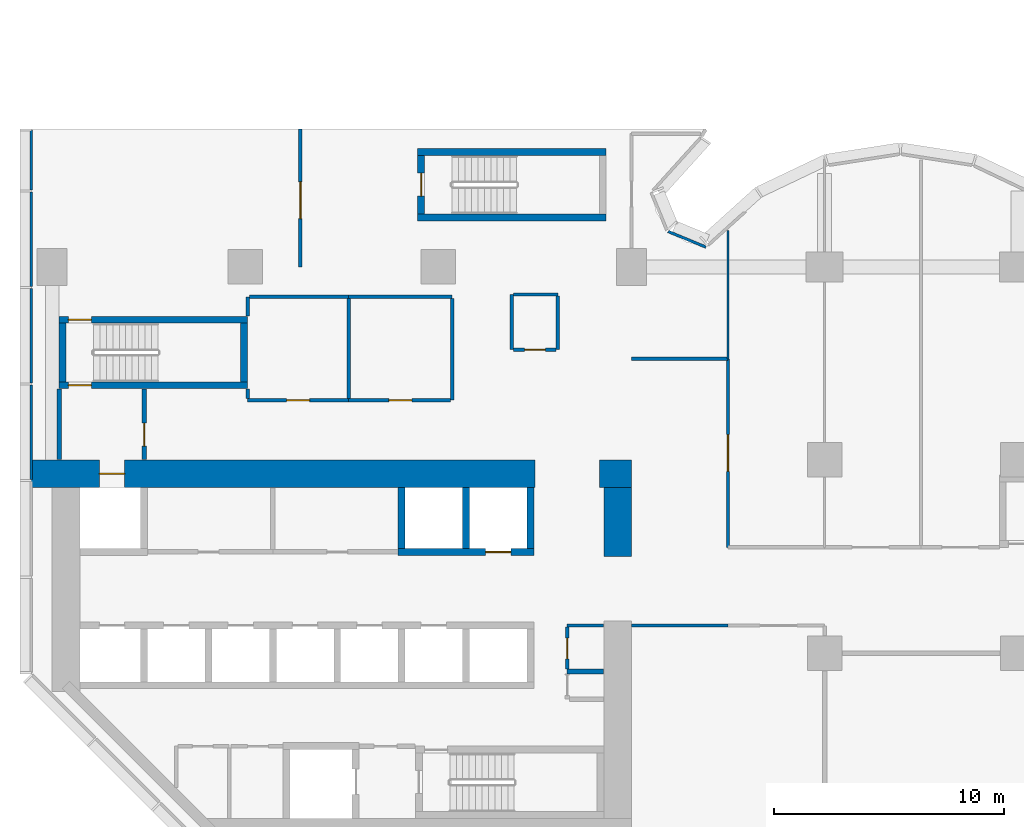
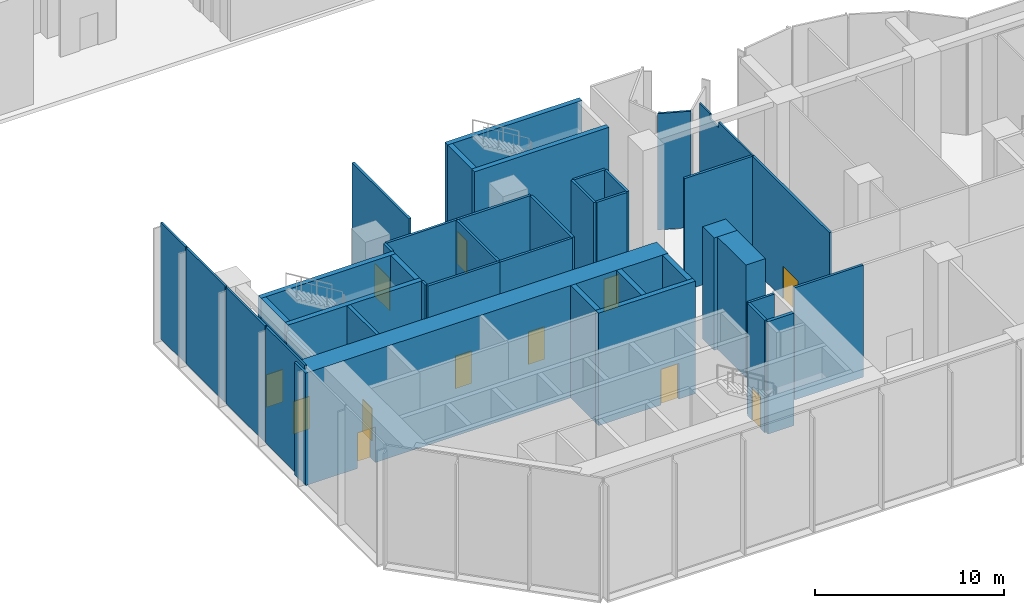
# One storey, part 8 of 16: 41 walls, 12 doors, 12 openings.
"""IFC4 building model written with IfcOpenShell, lengths in metres."""

from ifc_helpers import new_model, si_unit, direction, frame, frame_2d, origin, place, context, subcontext, project, spatial, polyline, rectangle, outline, extrude, material, layer, layer_set, type_object, element, fill, save


model = new_model("IFC4")

# Units and contexts
model_context = context("Model", 3, precision=1e-05, world=origin(), true_north=direction((0.0, 1.0)))
body_context = subcontext(model_context, "Body", "Model", "MODEL_VIEW")
ifc_project = project(units=[si_unit("LENGTHUNIT", "METRE"), si_unit("AREAUNIT", "SQUARE_METRE"), si_unit("VOLUMEUNIT", "CUBIC_METRE"), si_unit("PLANEANGLEUNIT", "RADIAN"), si_unit("MASSUNIT", "GRAM", prefix="KILO")], contexts=[model_context])

# Site, building, storey
site_placement = place(None, origin())
site = spatial("IfcSite", under=ifc_project, at=site_placement, CompositionType="ELEMENT")
building_placement = place(site_placement, origin())
building = spatial("IfcBuilding", under=site, at=building_placement, Name="Brevane Broadcast Tower", CompositionType="ELEMENT")
storey_placement = place(building_placement, frame((0.0, 0.0, 12.5)))
storey = spatial("IfcBuildingStorey", under=building, at=storey_placement, Name="L02", CompositionType="ELEMENT", Elevation=12.5)

# Wall, opening, door
ifc_material_1 = material(Name="Gypsum board on steel studs", Category="steel")
ifc_layer_1 = layer(ifc_material_1, 0.14990234375)
ifc_layer_set_1 = layer_set([ifc_layer_1], Name="Core fire partition 150 mm")
wall_type_1 = type_object("IfcWallType", Name="Core fire partition 150 mm", PredefinedType="PARTITIONING", material=ifc_layer_set_1)
wall_1_placement = place(storey_placement, frame((12.89990234375, 19.39990234375, 0.0), z_axis=(0.0, 0.0, 1.0), x_axis=(-1.0, 0.0, 0.0)))
wall_1 = element("IfcWall", 1, at=wall_1_placement, inside=storey, type_object=wall_type_1, Name="L02 partition wall P14", PredefinedType="PARTITIONING", context=body_context, shape_type="SweptSolid", body=[
    extrude(rectangle(XDim=4.39990234375, YDim=0.14990234375, at=frame_2d((2.199951171875, 0.0))), origin(), (0.0, 0.0, 1.0), 7.25),
])
opening_1_placement = place(wall_1_placement, frame((1.699951171875, 0.0, 0.0)))
opening_1 = element("IfcOpeningElement", 2, at=opening_1_placement, cuts=wall_1, Name="Opening L02-K28", PredefinedType="OPENING", context=body_context, shape_type="SweptSolid", body=[
    extrude(rectangle(XDim=1.0, YDim=2.10009765625, at=frame_2d((0.5, 1.050048828125))), frame((0.0, 0.0849609375, 0.0), z_axis=(0.0, -1.0, 0.0), x_axis=(1.0, 0.0, 0.0)), (0.0, 0.0, 1.0), 0.169921875),
])
ifc_material_2 = material(Name="Steel", Category="steel")
door_type_1 = type_object("IfcDoorType", Name="Service room door 1000 x 2100", OperationType="SINGLE_SWING_LEFT", PredefinedType="DOOR", material=ifc_material_2)
door_1_placement = place(opening_1_placement, origin())
door_1 = element("IfcDoor", 3, at=door_1_placement, inside=storey, type_object=door_type_1, Name="Door L02-K28", OperationType="SINGLE_SWING_RIGHT", OverallHeight=2.10009765625, OverallWidth=1.0, PredefinedType="DOOR", context=body_context, shape_type="SweptSolid", body=[
    extrude(rectangle(XDim=1.0, YDim=2.10009765625, at=frame_2d((0.5, 1.050048828125))), frame((0.0, 0.02490234375, 0.0), z_axis=(0.0, -1.0, 0.0), x_axis=(1.0, 0.0, 0.0)), (0.0, 0.0, 1.0), 0.050048828125),
])
fill(opening_1, door_1)

# Walls
wall_2_placement = place(storey_placement, frame((8.5, 19.47509765625, 0.0), z_axis=(0.0, 0.0, 1.0), x_axis=(0.0, 1.0, 0.0)))
element("IfcWall", 4, at=wall_2_placement, inside=storey, type_object=wall_type_1, Name="L02 partition wall P15", PredefinedType="PARTITIONING", context=body_context, shape_type="SweptSolid", body=[
    extrude(rectangle(XDim=0.412841796875, YDim=0.14990234375, at=frame_2d((0.20654296875, 0.0))), origin(), (0.0, 0.0, 1.0), 7.25),
])
wall_3_placement = place(storey_placement, frame((8.5, 23.06201171875, 0.0), z_axis=(0.0, 0.0, 1.0), x_axis=(0.0, 1.0, 0.0)))
element("IfcWall", 5, at=wall_3_placement, inside=storey, type_object=wall_type_1, Name="L02 partition wall P16", PredefinedType="PARTITIONING", context=body_context, shape_type="SweptSolid", body=[
    extrude(rectangle(XDim=0.837890625, YDim=0.14990234375, at=frame_2d((0.4189453125, 0.0))), origin(), (0.0, 0.0, 1.0), 7.25),
])
wall_4_placement = place(storey_placement, frame((8.574951171875, 23.89990234375, 0.0), z_axis=(0.0, 0.0, 1.0), x_axis=(1.0, 0.0, 0.0)))
element("IfcWall", 6, at=wall_4_placement, inside=storey, type_object=wall_type_1, Name="L02 partition wall P17", PredefinedType="PARTITIONING", context=body_context, shape_type="SweptSolid", body=[
    extrude(rectangle(XDim=4.324951171875, YDim=0.14990234375, at=frame_2d((2.16259765625, 0.0))), origin(), (0.0, 0.0, 1.0), 7.25),
])
wall_5_placement = place(storey_placement, frame((12.89990234375, 23.89990234375, 0.0), z_axis=(0.0, 0.0, 1.0), x_axis=(1.0, 0.0, 0.0)))
element("IfcWall", 7, at=wall_5_placement, inside=storey, type_object=wall_type_1, Name="L02 partition wall P18", PredefinedType="PARTITIONING", context=body_context, shape_type="SweptSolid", body=[
    extrude(rectangle(XDim=4.5, YDim=0.14990234375, at=frame_2d((2.25, 0.0))), origin(), (0.0, 0.0, 1.0), 7.25),
])
wall_6_placement = place(storey_placement, frame((17.39990234375, 23.824951171875, 0.0), z_axis=(0.0, 0.0, 1.0), x_axis=(0.0, -1.0, 0.0)))
element("IfcWall", 8, at=wall_6_placement, inside=storey, type_object=wall_type_1, Name="L02 partition wall P19", PredefinedType="PARTITIONING", context=body_context, shape_type="SweptSolid", body=[
    extrude(rectangle(XDim=4.425048828125, YDim=0.14990234375, at=frame_2d((2.21240234375, 0.0))), origin(), (0.0, 0.0, 1.0), 7.25),
])

# Wall, opening, door
wall_7_placement = place(storey_placement, frame((17.324951171875, 19.39990234375, 0.0), z_axis=(0.0, 0.0, 1.0), x_axis=(-1.0, 0.0, 0.0)))
wall_7 = element("IfcWall", 9, at=wall_7_placement, inside=storey, type_object=wall_type_1, Name="L02 partition wall P20", PredefinedType="PARTITIONING", context=body_context, shape_type="SweptSolid", body=[
    extrude(rectangle(XDim=4.425048828125, YDim=0.14990234375, at=frame_2d((2.21240234375, 0.0))), origin(), (0.0, 0.0, 1.0), 7.25),
])
opening_2_placement = place(wall_7_placement, frame((1.675048828125, 0.0, 0.0)))
opening_2 = element("IfcOpeningElement", 10, at=opening_2_placement, cuts=wall_7, Name="Opening L02-K29", PredefinedType="OPENING", context=body_context, shape_type="SweptSolid", body=[
    extrude(rectangle(XDim=1.0, YDim=2.10009765625, at=frame_2d((0.5, 1.050048828125))), frame((0.0, 0.0849609375, 0.0), z_axis=(0.0, -1.0, 0.0), x_axis=(1.0, 0.0, 0.0)), (0.0, 0.0, 1.0), 0.169921875),
])
door_2_placement = place(opening_2_placement, origin())
door_2 = element("IfcDoor", 11, at=door_2_placement, inside=storey, type_object=door_type_1, Name="Door L02-K29", OperationType="SINGLE_SWING_LEFT", OverallHeight=2.10009765625, OverallWidth=1.0, PredefinedType="DOOR", context=body_context, shape_type="SweptSolid", body=[
    extrude(rectangle(XDim=1.0, YDim=2.10009765625, at=frame_2d((0.5, 1.050048828125))), frame((0.0, 0.02490234375, 0.0), z_axis=(0.0, -1.0, 0.0), x_axis=(1.0, 0.0, 0.0)), (0.0, 0.0, 1.0), 0.050048828125),
])
fill(opening_2, door_2)

# Walls
wall_8_placement = place(storey_placement, frame((12.89990234375, 23.824951171875, 0.0), z_axis=(0.0, 0.0, 1.0), x_axis=(0.0, -1.0, 0.0)))
element("IfcWall", 12, at=wall_8_placement, inside=storey, type_object=wall_type_1, Name="L02 partition wall P21", PredefinedType="PARTITIONING", context=body_context, shape_type="SweptSolid", body=[
    extrude(rectangle(XDim=4.349853515625, YDim=0.14990234375, at=frame_2d((2.1748046875, 0.0))), origin(), (0.0, 0.0, 1.0), 7.25),
])
wall_9_placement = place(storey_placement, frame((23.988037109375, 9.60009765625, 0.0), z_axis=(0.0, 0.0, 1.0), x_axis=(-1.0, 0.0, 0.0)))
element("IfcWall", 13, at=wall_9_placement, inside=storey, type_object=wall_type_1, Name="L02 partition wall P22", PredefinedType="PARTITIONING", context=body_context, shape_type="SweptSolid", body=[
    extrude(rectangle(XDim=1.588134765625, YDim=0.14990234375, at=frame_2d((0.7939453125, 0.0))), origin(), (0.0, 0.0, 1.0), 7.25),
])

# Wall, opening, door
wall_10_placement = place(storey_placement, frame((22.39990234375, 9.52490234375, 0.0), z_axis=(0.0, 0.0, 1.0), x_axis=(0.0, -1.0, 0.0)))
wall_10 = element("IfcWall", 14, at=wall_10_placement, inside=storey, type_object=wall_type_1, Name="L02 partition wall P23", PredefinedType="PARTITIONING", context=body_context, shape_type="SweptSolid", body=[
    extrude(rectangle(XDim=1.824951171875, YDim=0.14990234375, at=frame_2d((0.91259765625, 0.0))), origin(), (0.0, 0.0, 1.0), 7.25),
])
opening_3_placement = place(wall_10_placement, frame((0.47509765625, 0.0, 0.0)))
opening_3 = element("IfcOpeningElement", 15, at=opening_3_placement, cuts=wall_10, Name="Opening L02-K23", PredefinedType="OPENING", context=body_context, shape_type="SweptSolid", body=[
    extrude(rectangle(XDim=0.89990234375, YDim=2.10009765625, at=frame_2d((0.449951171875, 1.050048828125))), frame((0.0, 0.0849609375, 0.0), z_axis=(0.0, -1.0, 0.0), x_axis=(1.0, 0.0, 0.0)), (0.0, 0.0, 1.0), 0.169921875),
])
door_type_2 = type_object("IfcDoorType", Name="Service room door 900 x 2100", OperationType="SINGLE_SWING_LEFT", PredefinedType="DOOR", material=ifc_material_2)
door_3_placement = place(opening_3_placement, origin())
door_3 = element("IfcDoor", 16, at=door_3_placement, inside=storey, type_object=door_type_2, Name="Door L02-K23", OperationType="SINGLE_SWING_LEFT", OverallHeight=2.10009765625, OverallWidth=0.89990234375, PredefinedType="DOOR", context=body_context, shape_type="SweptSolid", body=[
    extrude(rectangle(XDim=0.89990234375, YDim=2.10009765625, at=frame_2d((0.449951171875, 1.050048828125))), frame((0.0, 0.02490234375, 0.0), z_axis=(0.0, -1.0, 0.0), x_axis=(1.0, 0.0, 0.0)), (0.0, 0.0, 1.0), 0.050048828125),
])
fill(opening_3, door_3)

# Walls
wall_11_placement = place(storey_placement, frame((20.0, 21.60009765625, 0.0), z_axis=(0.0, 0.0, 1.0), x_axis=(0.0, 1.0, 0.0)))
element("IfcWall", 17, at=wall_11_placement, inside=storey, type_object=wall_type_1, Name="L02 partition wall P24", PredefinedType="PARTITIONING", context=body_context, shape_type="SweptSolid", body=[
    extrude(rectangle(XDim=2.39990234375, YDim=0.14990234375, at=frame_2d((1.199951171875, 0.0))), origin(), (0.0, 0.0, 1.0), 7.25),
])
wall_12_placement = place(storey_placement, frame((20.074951171875, 24.0, 0.0), z_axis=(0.0, 0.0, 1.0), x_axis=(1.0, 0.0, 0.0)))
element("IfcWall", 18, at=wall_12_placement, inside=storey, type_object=wall_type_1, Name="L02 partition wall P25", PredefinedType="PARTITIONING", context=body_context, shape_type="SweptSolid", body=[
    extrude(rectangle(XDim=1.925048828125, YDim=0.14990234375, at=frame_2d((0.96240234375, 0.0))), origin(), (0.0, 0.0, 1.0), 7.25),
])
wall_13_placement = place(storey_placement, frame((22.0, 23.925048828125, 0.0), z_axis=(0.0, 0.0, 1.0), x_axis=(0.0, -1.0, 0.0)))
element("IfcWall", 19, at=wall_13_placement, inside=storey, type_object=wall_type_1, Name="L02 partition wall P26", PredefinedType="PARTITIONING", context=body_context, shape_type="SweptSolid", body=[
    extrude(rectangle(XDim=2.324951171875, YDim=0.14990234375, at=frame_2d((1.16259765625, 0.0))), origin(), (0.0, 0.0, 1.0), 7.25),
])

# Wall, opening, door
wall_14_placement = place(storey_placement, frame((21.925048828125, 21.60009765625, 0.0), z_axis=(0.0, 0.0, 1.0), x_axis=(-1.0, 0.0, 0.0)))
wall_14 = element("IfcWall", 20, at=wall_14_placement, inside=storey, type_object=wall_type_1, Name="L02 partition wall P27", PredefinedType="PARTITIONING", context=body_context, shape_type="SweptSolid", body=[
    extrude(rectangle(XDim=1.85009765625, YDim=0.14990234375, at=frame_2d((0.925048828125, 0.0))), origin(), (0.0, 0.0, 1.0), 7.25),
])
opening_4_placement = place(wall_14_placement, frame((0.47509765625, 0.0, 0.0)))
opening_4 = element("IfcOpeningElement", 21, at=opening_4_placement, cuts=wall_14, Name="Opening L02-K27", PredefinedType="OPENING", context=body_context, shape_type="SweptSolid", body=[
    extrude(rectangle(XDim=0.89990234375, YDim=2.10009765625, at=frame_2d((0.449951171875, 1.050048828125))), frame((0.0, 0.0849609375, 0.0), z_axis=(0.0, -1.0, 0.0), x_axis=(1.0, 0.0, 0.0)), (0.0, 0.0, 1.0), 0.169921875),
])
ifc_material_3 = material(Name="Timber", Category="wood")
door_type_3 = type_object("IfcDoorType", Name="Toilet door 900 x 2100", OperationType="SINGLE_SWING_LEFT", PredefinedType="DOOR", material=ifc_material_3)
door_4_placement = place(opening_4_placement, origin())
door_4 = element("IfcDoor", 22, at=door_4_placement, inside=storey, type_object=door_type_3, Name="Door L02-K27", OperationType="SINGLE_SWING_LEFT", OverallHeight=2.10009765625, OverallWidth=0.89990234375, PredefinedType="DOOR", context=body_context, shape_type="SweptSolid", body=[
    extrude(rectangle(XDim=0.89990234375, YDim=2.10009765625, at=frame_2d((0.449951171875, 1.050048828125))), frame((0.0, 0.02490234375, 0.0), z_axis=(0.0, -1.0, 0.0), x_axis=(1.0, 0.0, 0.0)), (0.0, 0.0, 1.0), 0.050048828125),
])
fill(opening_4, door_4)

# Wall
ifc_layer_2 = layer(ifc_material_1, 0.199951171875)
ifc_layer_set_2 = layer_set([ifc_layer_2], Name="Core fire partition 200 mm")
wall_type_2 = type_object("IfcWallType", Name="Core fire partition 200 mm", PredefinedType="PARTITIONING", material=ifc_layer_set_2)
wall_15_placement = place(storey_placement, frame((0.300048828125, 16.81201171875, 0.0), z_axis=(0.0, 0.0, 1.0), x_axis=(0.0, 1.0, 0.0)))
element("IfcWall", 23, at=wall_15_placement, inside=storey, type_object=wall_type_2, Name="L02 partition wall P01", PredefinedType="PARTITIONING", context=body_context, shape_type="SweptSolid", body=[
    extrude(rectangle(XDim=3.075927734375, YDim=0.199951171875, at=frame_2d((1.5380859375, 0.0))), origin(), (0.0, 0.0, 1.0), 6.8798828125),
])

# Wall, opening, door
wall_16_placement = place(storey_placement, frame((4.0, 19.887939453125, 0.0), z_axis=(0.0, 0.0, 1.0), x_axis=(0.0, -1.0, 0.0)))
wall_16 = element("IfcWall", 24, at=wall_16_placement, inside=storey, type_object=wall_type_2, Name="L02 partition wall P02", PredefinedType="PARTITIONING", context=body_context, shape_type="SweptSolid", body=[
    extrude(rectangle(XDim=3.075927734375, YDim=0.199951171875, at=frame_2d((1.5380859375, 0.0))), origin(), (0.0, 0.0, 1.0), 7.25),
])
opening_5_placement = place(wall_16_placement, frame((1.488037109375, 0.0, 0.0)))
opening_5 = element("IfcOpeningElement", 25, at=opening_5_placement, cuts=wall_16, Name="Opening L02-K26", PredefinedType="OPENING", context=body_context, shape_type="SweptSolid", body=[
    extrude(rectangle(XDim=1.0, YDim=2.10009765625, at=frame_2d((0.5, 1.050048828125))), frame((0.0, 0.10986328125, 0.0), z_axis=(0.0, -1.0, 0.0), x_axis=(1.0, 0.0, 0.0)), (0.0, 0.0, 1.0), 0.219970703125),
])
door_type_4 = type_object("IfcDoorType", Name="Stair door 1000 x 2100", OperationType="SINGLE_SWING_LEFT", PredefinedType="DOOR", material=ifc_material_2)
door_5_placement = place(opening_5_placement, origin())
door_5 = element("IfcDoor", 26, at=door_5_placement, inside=storey, type_object=door_type_4, Name="Door L02-K26", OperationType="SINGLE_SWING_RIGHT", OverallHeight=2.10009765625, OverallWidth=1.0, PredefinedType="DOOR", context=body_context, shape_type="SweptSolid", body=[
    extrude(rectangle(XDim=1.0, YDim=2.10009765625, at=frame_2d((0.5, 1.050048828125))), frame((0.0, 0.02490234375, 0.0), z_axis=(0.0, -1.0, 0.0), x_axis=(1.0, 0.0, 0.0)), (0.0, 0.0, 1.0), 0.050048828125),
])
fill(opening_5, door_5)

# Wall
wall_17_placement = place(storey_placement, frame((23.988037109375, 7.60009765625, 0.0), z_axis=(0.0, 0.0, 1.0), x_axis=(-1.0, 0.0, 0.0)))
element("IfcWall", 27, at=wall_17_placement, inside=storey, type_object=wall_type_2, Name="L02 partition wall P07", PredefinedType="PARTITIONING", context=body_context, shape_type="SweptSolid", body=[
    extrude(rectangle(XDim=1.588134765625, YDim=0.199951171875, at=frame_2d((0.7939453125, 0.0))), origin(), (0.0, 0.0, 1.0), 7.25),
])

# Wall, opening, door
ifc_material_4 = material(Name="Concrete C80/95", Category="concrete")
ifc_layer_3 = layer(ifc_material_4, 1.199951171875)
ifc_layer_set_3 = layer_set([ifc_layer_3], Name="Core wall 1200 mm C80/95")
wall_type_3 = type_object("IfcWallType", Name="Core wall 1200 mm C80/95", PredefinedType="SHEAR", material=ifc_layer_set_3)
wall_18_placement = place(storey_placement, frame((-1.10009765625, 16.199951171875, 0.0), z_axis=(0.0, 0.0, 1.0), x_axis=(1.0, 0.0, 0.0)))
wall_18 = element("IfcWall", 28, at=wall_18_placement, inside=storey, type_object=wall_type_3, Name="L02 outer wall WN1", PredefinedType="SHEAR", context=body_context, shape_type="SweptSolid", body=[
    extrude(rectangle(XDim=22.10009765625, YDim=1.199951171875, at=frame_2d((11.050048828125, 0.0))), origin(), (0.0, 0.0, 1.0), 7.25),
])
opening_6_placement = place(wall_18_placement, frame((3.14990234375, 0.0, 0.0)))
opening_6 = element("IfcOpeningElement", 29, at=opening_6_placement, cuts=wall_18, Name="Opening LD", PredefinedType="OPENING", context=body_context, shape_type="SweptSolid", body=[
    extrude(rectangle(XDim=1.10009765625, YDim=2.300048828125, at=frame_2d((0.550048828125, 1.14990234375))), frame((0.0, 0.60986328125, 0.0), z_axis=(0.0, -1.0, 0.0), x_axis=(1.0, 0.0, 0.0)), (0.0, 0.0, 1.0), 1.219970703125),
])
ifc_material_5 = material(Name="Stainless steel", Category="steel")
door_type_5 = type_object("IfcDoorType", Name="Lift landing door", OperationType="SLIDING_TO_LEFT", PredefinedType="DOOR", material=ifc_material_5)
door_6_placement = place(opening_6_placement, origin())
door_6 = element("IfcDoor", 30, at=door_6_placement, inside=storey, type_object=door_type_5, Name="Landing door FF1 L02", OperationType="SLIDING_TO_LEFT", OverallHeight=2.300048828125, OverallWidth=1.10009765625, PredefinedType="DOOR", context=body_context, shape_type="SweptSolid", body=[
    extrude(rectangle(XDim=1.10009765625, YDim=2.300048828125, at=frame_2d((0.550048828125, 1.14990234375))), frame((0.0, 0.02490234375, 0.0), z_axis=(0.0, -1.0, 0.0), x_axis=(1.0, 0.0, 0.0)), (0.0, 0.0, 1.0), 0.050048828125),
])
fill(opening_6, door_6)

# Walls
wall_19_placement = place(storey_placement, frame((23.800048828125, 16.199951171875, 0.0), z_axis=(0.0, 0.0, 1.0), x_axis=(1.0, 0.0, 0.0)))
element("IfcWall", 31, at=wall_19_placement, inside=storey, type_object=wall_type_3, Name="L02 outer wall WN2", PredefinedType="SHEAR", context=body_context, shape_type="SweptSolid", body=[
    extrude(rectangle(XDim=1.39990234375, YDim=1.199951171875, at=frame_2d((0.699951171875, 0.0))), origin(), (0.0, 0.0, 1.0), 7.25),
])
wall_20_placement = place(storey_placement, frame((24.60009765625, 12.60009765625, 0.0), z_axis=(0.0, 0.0, 1.0), x_axis=(0.0, 1.0, 0.0)))
element("IfcWall", 32, at=wall_20_placement, inside=storey, type_object=wall_type_3, Name="L02 outer wall WE2", PredefinedType="SHEAR", context=body_context, shape_type="SweptSolid", body=[
    extrude(rectangle(XDim=3.0, YDim=1.199951171875, at=frame_2d((1.5, 0.0))), origin(), (0.0, 0.0, 1.0), 7.25),
])

# Wall, opening, door
ifc_layer_4 = layer(ifc_material_4, 0.300048828125)
ifc_layer_set_4 = layer_set([ifc_layer_4], Name="Core wall 300 mm C80/95")
wall_type_4 = type_object("IfcWallType", Name="Core wall 300 mm C80/95", PredefinedType="SHEAR", material=ifc_layer_set_4)
wall_21_placement = place(storey_placement, frame((15.050048828125, 12.800048828125, 0.0), z_axis=(0.0, 0.0, 1.0), x_axis=(1.0, 0.0, 0.0)))
wall_21 = element("IfcWall", 33, at=wall_21_placement, inside=storey, type_object=wall_type_4, Name="L02 shaft wall SH-N152-front", PredefinedType="SHEAR", context=body_context, shape_type="SweptSolid", body=[
    extrude(rectangle(XDim=5.89990234375, YDim=0.300048828125, at=frame_2d((2.949951171875, 0.0))), origin(), (0.0, 0.0, 1.0), 7.25),
])
opening_7_placement = place(wall_21_placement, frame((3.800048828125, 0.0, 0.0)))
opening_7 = element("IfcOpeningElement", 34, at=opening_7_placement, cuts=wall_21, Name="Opening LD", PredefinedType="OPENING", context=body_context, shape_type="SweptSolid", body=[
    extrude(rectangle(XDim=1.10009765625, YDim=2.300048828125, at=frame_2d((0.550048828125, 1.14990234375))), frame((0.0, 0.159912109375, 0.0), z_axis=(0.0, -1.0, 0.0), x_axis=(1.0, 0.0, 0.0)), (0.0, 0.0, 1.0), 0.320068359375),
])
door_7_placement = place(opening_7_placement, origin())
door_7 = element("IfcDoor", 35, at=door_7_placement, inside=storey, type_object=door_type_5, Name="Landing door SL1 L02", OperationType="SLIDING_TO_LEFT", OverallHeight=2.300048828125, OverallWidth=1.10009765625, PredefinedType="DOOR", context=body_context, shape_type="SweptSolid", body=[
    extrude(rectangle(XDim=1.10009765625, YDim=2.300048828125, at=frame_2d((0.550048828125, 1.14990234375))), frame((0.0, 0.02490234375, 0.0), z_axis=(0.0, -1.0, 0.0), x_axis=(1.0, 0.0, 0.0)), (0.0, 0.0, 1.0), 0.050048828125),
])
fill(opening_7, door_7)

# Walls
for number, where, z_axis, x_axis, name in (
    (36, (15.199951171875, 12.949951171875, 0.0), (0.0, 0.0, 1.0), (0.0, 1.0, 0.0), "L02 shaft wall SH-N-P152"),
    (37, (18.0, 12.949951171875, 0.0), (0.0, 0.0, 1.0), (0.0, 1.0, 0.0), "L02 shaft wall SH-N-P180"),
    (38, (20.800048828125, 12.949951171875, 0.0), (0.0, 0.0, 1.0), (0.0, 1.0, 0.0), "L02 shaft wall SH-N-P208"),
):
    element("IfcWall", number, at=place(storey_placement, frame(where, z_axis=z_axis, x_axis=x_axis)), inside=storey, type_object=wall_type_4, Name=name, PredefinedType="SHEAR", context=body_context, shape_type="SweptSolid", body=[
        extrude(rectangle(XDim=2.650146484375, YDim=0.300048828125, at=frame_2d((1.3251953125, 0.0))), origin(), (0.0, 0.0, 1.0), 7.25),
    ])

# Wall, opening, door
wall_22_placement = place(storey_placement, frame((8.5, 20.050048828125, 0.0), z_axis=(0.0, 0.0, 1.0), x_axis=(-1.0, 0.0, 0.0)))
wall_22 = element("IfcWall", 39, at=wall_22_placement, inside=storey, type_object=wall_type_4, Name="L02 stair wall ST-1-S", PredefinedType="SHEAR", context=body_context, shape_type="SweptSolid", body=[
    extrude(rectangle(XDim=8.199951171875, YDim=0.300048828125, at=frame_2d((4.10009765625, 0.0))), origin(), (0.0, 0.0, 1.0), 7.25),
])
opening_8_placement = place(wall_22_placement, frame((6.800048828125, 0.0, 0.0)))
opening_8 = element("IfcOpeningElement", 40, at=opening_8_placement, cuts=wall_22, Name="Opening L02-K11", PredefinedType="OPENING", context=body_context, shape_type="SweptSolid", body=[
    extrude(rectangle(XDim=1.0, YDim=2.10009765625, at=frame_2d((0.5, 1.050048828125))), frame((0.0, 0.159912109375, 0.0), z_axis=(0.0, -1.0, 0.0), x_axis=(1.0, 0.0, 0.0)), (0.0, 0.0, 1.0), 0.320068359375),
])
door_8_placement = place(opening_8_placement, origin())
door_8 = element("IfcDoor", 41, at=door_8_placement, inside=storey, type_object=door_type_4, Name="Door L02-K11", OperationType="SINGLE_SWING_LEFT", OverallHeight=2.10009765625, OverallWidth=1.0, PredefinedType="DOOR", context=body_context, shape_type="SweptSolid", body=[
    extrude(rectangle(XDim=1.0, YDim=2.10009765625, at=frame_2d((0.5, 1.050048828125))), frame((0.0, 0.02490234375, 0.0), z_axis=(0.0, -1.0, 0.0), x_axis=(1.0, 0.0, 0.0)), (0.0, 0.0, 1.0), 0.050048828125),
])
fill(opening_8, door_8)

wall_23_placement = place(storey_placement, frame((0.300048828125, 22.89990234375, 0.0), z_axis=(0.0, 0.0, 1.0), x_axis=(1.0, 0.0, 0.0)))
wall_23 = element("IfcWall", 42, at=wall_23_placement, inside=storey, type_object=wall_type_4, Name="L02 stair wall ST-1-N", PredefinedType="SHEAR", context=body_context, shape_type="SweptSolid", body=[
    extrude(rectangle(XDim=8.199951171875, YDim=0.300048828125, at=frame_2d((4.10009765625, 0.0))), origin(), (0.0, 0.0, 1.0), 7.25),
])
opening_9_placement = place(wall_23_placement, frame((0.39990234375, 0.0, 0.0)))
opening_9 = element("IfcOpeningElement", 43, at=opening_9_placement, cuts=wall_23, Name="Opening L02-K12", PredefinedType="OPENING", context=body_context, shape_type="SweptSolid", body=[
    extrude(rectangle(XDim=1.0, YDim=2.10009765625, at=frame_2d((0.5, 1.050048828125))), frame((0.0, 0.159912109375, 0.0), z_axis=(0.0, -1.0, 0.0), x_axis=(1.0, 0.0, 0.0)), (0.0, 0.0, 1.0), 0.320068359375),
])
door_9_placement = place(opening_9_placement, origin())
door_9 = element("IfcDoor", 44, at=door_9_placement, inside=storey, type_object=door_type_4, Name="Door L02-K12", OperationType="SINGLE_SWING_RIGHT", OverallHeight=2.10009765625, OverallWidth=1.0, PredefinedType="DOOR", context=body_context, shape_type="SweptSolid", body=[
    extrude(rectangle(XDim=1.0, YDim=2.10009765625, at=frame_2d((0.5, 1.050048828125))), frame((0.0, 0.02490234375, 0.0), z_axis=(0.0, -1.0, 0.0), x_axis=(1.0, 0.0, 0.0)), (0.0, 0.0, 1.0), 0.050048828125),
])
fill(opening_9, door_9)

# Walls
for number, where, z_axis, x_axis, name in (
    (45, (0.449951171875, 20.199951171875, 0.0), (0.0, 0.0, 1.0), (0.0, 1.0, 0.0), "L02 stair wall ST-1-W"),
    (46, (8.35009765625, 20.199951171875, 0.0), (0.0, 0.0, 1.0), (0.0, 1.0, 0.0), "L02 stair wall ST-1-E"),
):
    element("IfcWall", number, at=place(storey_placement, frame(where, z_axis=z_axis, x_axis=x_axis)), inside=storey, type_object=wall_type_4, Name=name, PredefinedType="SHEAR", context=body_context, shape_type="SweptSolid", body=[
        extrude(rectangle(XDim=2.550048828125, YDim=0.300048828125, at=frame_2d((1.27490234375, 0.0))), origin(), (0.0, 0.0, 1.0), 7.25),
    ])
for number, where, z_axis, x_axis, name in (
    (47, (15.89990234375, 27.35009765625, 0.0), (0.0, 0.0, 1.0), (1.0, 0.0, 0.0), "L02 stair wall ST-3-S"),
    (48, (15.89990234375, 30.199951171875, 0.0), (0.0, 0.0, 1.0), (1.0, 0.0, 0.0), "L02 stair wall ST-3-N"),
):
    element("IfcWall", number, at=place(storey_placement, frame(where, z_axis=z_axis, x_axis=x_axis)), inside=storey, type_object=wall_type_4, Name=name, PredefinedType="SHEAR", context=body_context, shape_type="SweptSolid", body=[
        extrude(rectangle(XDim=8.2001953125, YDim=0.300048828125, at=frame_2d((4.10009765625, 0.0))), origin(), (0.0, 0.0, 1.0), 7.25),
    ])

# Wall, opening, door
wall_24_placement = place(storey_placement, frame((16.050048828125, 27.5, 0.0), z_axis=(0.0, 0.0, 1.0), x_axis=(0.0, 1.0, 0.0)))
wall_24 = element("IfcWall", 49, at=wall_24_placement, inside=storey, type_object=wall_type_4, Name="L02 stair wall ST-3-W", PredefinedType="SHEAR", context=body_context, shape_type="SweptSolid", body=[
    extrude(rectangle(XDim=2.550048828125, YDim=0.300048828125, at=frame_2d((1.27490234375, 0.0))), origin(), (0.0, 0.0, 1.0), 7.25),
])
opening_10_placement = place(wall_24_placement, frame((0.77490234375, 0.0, 0.0)))
opening_10 = element("IfcOpeningElement", 50, at=opening_10_placement, cuts=wall_24, Name="Opening L02-K15", PredefinedType="OPENING", context=body_context, shape_type="SweptSolid", body=[
    extrude(rectangle(XDim=1.0, YDim=2.10009765625, at=frame_2d((0.5, 1.050048828125))), frame((0.0, 0.159912109375, 0.0), z_axis=(0.0, -1.0, 0.0), x_axis=(1.0, 0.0, 0.0)), (0.0, 0.0, 1.0), 0.320068359375),
])
door_10_placement = place(opening_10_placement, origin())
door_10 = element("IfcDoor", 51, at=door_10_placement, inside=storey, type_object=door_type_4, Name="Door L02-K15", OperationType="SINGLE_SWING_LEFT", OverallHeight=2.10009765625, OverallWidth=1.0, PredefinedType="DOOR", context=body_context, shape_type="SweptSolid", body=[
    extrude(rectangle(XDim=1.0, YDim=2.10009765625, at=frame_2d((0.5, 1.050048828125))), frame((0.0, 0.02490234375, 0.0), z_axis=(0.0, -1.0, 0.0), x_axis=(1.0, 0.0, 0.0)), (0.0, 0.0, 1.0), 0.050048828125),
])
fill(opening_10, door_10)

# Walls
ifc_material_6 = material(Name="Gypsum board partition")
ifc_layer_5 = layer(ifc_material_6, 0.10009765625)
ifc_layer_set_5 = layer_set([ifc_layer_5], Name="PARTITION 100 STUD")
wall_type_5 = type_object("IfcWallType", Name="PARTITION 100 STUD", PredefinedType="PARTITIONING", material=ifc_layer_set_5)
wall_25_placement = place(storey_placement, frame((29.39990234375, 26.775634765625, 0.0), z_axis=(0.0, 0.0, 1.0), x_axis=(0.0, -1.0, 0.0)))
element("IfcWall", 52, at=wall_25_placement, inside=storey, type_object=wall_type_5, Name="Partition P2-004", PredefinedType="PARTITIONING", context=body_context, shape_type="SweptSolid", body=[
    extrude(outline(polyline([(0.0, 0.0), (5.57568359375, 0.0), (5.57568359375, 7.22998046875), (2.025634765625, 7.22998046875), (2.023681640625, 6.8798828125), (1.127685546875, 6.8798828125), (1.125732421875, 7.22998046875), (0.0, 7.22998046875), (0.0, 0.0)])), frame((0.0, 0.050048828125, 0.0), z_axis=(0.0, -1.0, 0.0), x_axis=(1.0, 0.0, 0.0)), (0.0, 0.0, 1.0), 0.10009765625),
])
ifc_layer_6 = layer(ifc_material_6, 0.14990234375)
ifc_layer_set_6 = layer_set([ifc_layer_6], Name="PARTITION 150 EI 60")
wall_type_6 = type_object("IfcWallType", Name="PARTITION 150 EI 60", PredefinedType="PARTITIONING", material=ifc_layer_set_6)
for number, where, z_axis, x_axis, name in (
    (53, (25.199951171875, 21.199951171875, 0.0), (0.0, 0.0, 1.0), (1.0, 0.0, 0.0), "Partition P2-001"),
    (54, (29.39990234375, 9.60009765625, 0.0), (0.0, 0.0, 1.0), (-1.0, 0.0, 0.0), "Partition P2-002"),
):
    element("IfcWall", number, at=place(storey_placement, frame(where, z_axis=z_axis, x_axis=x_axis)), inside=storey, type_object=wall_type_6, Name=name, PredefinedType="PARTITIONING", context=body_context, shape_type="SweptSolid", body=[
        extrude(rectangle(XDim=4.199951171875, YDim=0.14990234375, at=frame_2d((2.10009765625, 0.0))), origin(), (0.0, 0.0, 1.0), 7.22998046875),
    ])

# Wall, opening, door
wall_26_placement = place(storey_placement, frame((29.39990234375, 21.199951171875, 0.0), z_axis=(0.0, 0.0, 1.0), x_axis=(0.0, -1.0, 0.0)))
wall_26 = element("IfcWall", 55, at=wall_26_placement, inside=storey, type_object=wall_type_6, Name="Partition P2-003", PredefinedType="PARTITIONING", context=body_context, shape_type="SweptSolid", body=[
    extrude(rectangle(XDim=8.199951171875, YDim=0.14990234375, at=frame_2d((4.10009765625, 0.0))), origin(), (0.0, 0.0, 1.0), 7.22998046875),
])
opening_11_placement = place(wall_26_placement, frame((3.300048828125, 0.0, 0.0)))
opening_11 = element("IfcOpeningElement", 56, at=opening_11_placement, cuts=wall_26, Name="Opening D03-005", PredefinedType="OPENING", context=body_context, shape_type="SweptSolid", body=[
    extrude(rectangle(XDim=1.60009765625, YDim=2.10009765625, at=frame_2d((0.800048828125, 1.050048828125))), frame((0.0, 0.0849609375, 0.0), z_axis=(0.0, -1.0, 0.0), x_axis=(1.0, 0.0, 0.0)), (0.0, 0.0, 1.0), 0.169921875),
])
ifc_material_7 = material(Name="Fire-rated timber door leaf", Category="wood")
door_type_6 = type_object("IfcDoorType", Name="DOOR DOUBLE 1600 FD30S", OperationType="DOUBLE_DOOR_SINGLE_SWING", PredefinedType="DOOR", material=ifc_material_7)
door_11_placement = place(opening_11_placement, origin())
door_11 = element("IfcDoor", 57, at=door_11_placement, inside=storey, type_object=door_type_6, Name="Door D03-005", OperationType="DOUBLE_DOOR_SINGLE_SWING", OverallHeight=2.10009765625, OverallWidth=1.60009765625, PredefinedType="DOOR", context=body_context, shape_type="SweptSolid", body=[
    extrude(rectangle(XDim=1.60009765625, YDim=2.10009765625, at=frame_2d((0.800048828125, 1.050048828125))), frame((0.0, 0.02490234375, 0.0), z_axis=(0.0, -1.0, 0.0), x_axis=(1.0, 0.0, 0.0)), (0.0, 0.0, 1.0), 0.050048828125),
])
fill(opening_11, door_11)

wall_27_placement = place(storey_placement, frame((10.800048828125, 25.199951171875, 0.0), z_axis=(0.0, 0.0, 1.0), x_axis=(0.0, 1.0, 0.0)))
wall_27 = element("IfcWall", 58, at=wall_27_placement, inside=storey, type_object=wall_type_6, Name="Partition P2-028", PredefinedType="PARTITIONING", context=body_context, shape_type="SweptSolid", body=[
    extrude(rectangle(XDim=6.0, YDim=0.14990234375, at=frame_2d((3.0, 0.0))), origin(), (0.0, 0.0, 1.0), 7.22998046875),
])
opening_12_placement = place(wall_27_placement, frame((2.10009765625, 0.0, 0.0)))
opening_12 = element("IfcOpeningElement", 59, at=opening_12_placement, cuts=wall_27, Name="Opening D03-010", PredefinedType="OPENING", context=body_context, shape_type="SweptSolid", body=[
    extrude(rectangle(XDim=1.60009765625, YDim=2.10009765625, at=frame_2d((0.800048828125, 1.050048828125))), frame((0.0, 0.0849609375, 0.0), z_axis=(0.0, -1.0, 0.0), x_axis=(1.0, 0.0, 0.0)), (0.0, 0.0, 1.0), 0.169921875),
])
door_12_placement = place(opening_12_placement, origin())
door_12 = element("IfcDoor", 60, at=door_12_placement, inside=storey, type_object=door_type_6, Name="Door D03-010", OperationType="DOUBLE_DOOR_SINGLE_SWING", OverallHeight=2.10009765625, OverallWidth=1.60009765625, PredefinedType="DOOR", context=body_context, shape_type="SweptSolid", body=[
    extrude(rectangle(XDim=1.60009765625, YDim=2.10009765625, at=frame_2d((0.800048828125, 1.050048828125))), frame((0.0, 0.02490234375, 0.0), z_axis=(0.0, -1.0, 0.0), x_axis=(1.0, 0.0, 0.0)), (0.0, 0.0, 1.0), 0.050048828125),
])
fill(opening_12, door_12)

# Walls
ifc_material_8 = material(Name="Precast concrete C40/50", Category="concrete")
ifc_layer_7 = layer(ifc_material_8, 0.1201171875)
ifc_layer_set_7 = layer_set([ifc_layer_7], Name="Podium precast cladding wall 120 C40/50")
wall_type_7 = type_object("IfcWallType", Name="Podium precast cladding wall 120 C40/50", PredefinedType="SOLIDWALL", material=ifc_layer_set_7)
wall_28_placement = place(storey_placement, origin())
element("IfcWall", 61, at=wall_28_placement, inside=storey, type_object=wall_type_7, Name="Podium precast cladding wall", PredefinedType="SOLIDWALL", context=body_context, shape_type="SweptSolid", body=[
    extrude(outline(polyline([(28.412109375, 26.00537109375), (28.4580078125, 26.1162109375), (26.846923828125, 26.783447265625), (26.755126953125, 26.691650390625), (28.412109375, 26.00537109375)])), origin(), (0.0, 0.0, 1.0), 7.5),
])
wall_29_placement = place(storey_placement, origin())
element("IfcWall", 62, at=wall_29_placement, inside=storey, type_object=wall_type_7, Name="Podium precast cladding wall", PredefinedType="SOLIDWALL", context=body_context, shape_type="SweptSolid", body=[
    extrude(outline(polyline([(-0.969970703125, 28.544921875), (-0.85009765625, 28.544921875), (-0.85009765625, 31.155029296875), (-0.969970703125, 31.155029296875), (-0.969970703125, 28.544921875)])), origin(), (0.0, 0.0, 1.0), 7.5),
])
wall_30_placement = place(storey_placement, origin())
element("IfcWall", 63, at=wall_30_placement, inside=storey, type_object=wall_type_7, Name="Podium precast cladding wall", PredefinedType="SOLIDWALL", context=body_context, shape_type="SweptSolid", body=[
    extrude(outline(polyline([(-0.969970703125, 24.344970703125), (-0.85009765625, 24.344970703125), (-0.85009765625, 28.455078125), (-0.969970703125, 28.455078125), (-0.969970703125, 24.344970703125)])), origin(), (0.0, 0.0, 1.0), 7.5),
])
wall_31_placement = place(storey_placement, origin())
element("IfcWall", 64, at=wall_31_placement, inside=storey, type_object=wall_type_7, Name="Podium precast cladding wall", PredefinedType="SOLIDWALL", context=body_context, shape_type="SweptSolid", body=[
    extrude(outline(polyline([(-0.969970703125, 20.14501953125), (-0.85009765625, 20.14501953125), (-0.85009765625, 24.2548828125), (-0.969970703125, 24.2548828125), (-0.969970703125, 20.14501953125)])), origin(), (0.0, 0.0, 1.0), 7.5),
])
wall_32_placement = place(storey_placement, origin())
element("IfcWall", 65, at=wall_32_placement, inside=storey, type_object=wall_type_7, Name="Podium precast cladding wall", PredefinedType="SOLIDWALL", context=body_context, shape_type="SweptSolid", body=[
    extrude(outline(polyline([(-0.969970703125, 15.945068359375), (-0.85009765625, 15.945068359375), (-0.85009765625, 20.054931640625), (-0.969970703125, 20.054931640625), (-0.969970703125, 15.945068359375)])), origin(), (0.0, 0.0, 1.0), 7.5),
])

save(model, "model.ifc")
